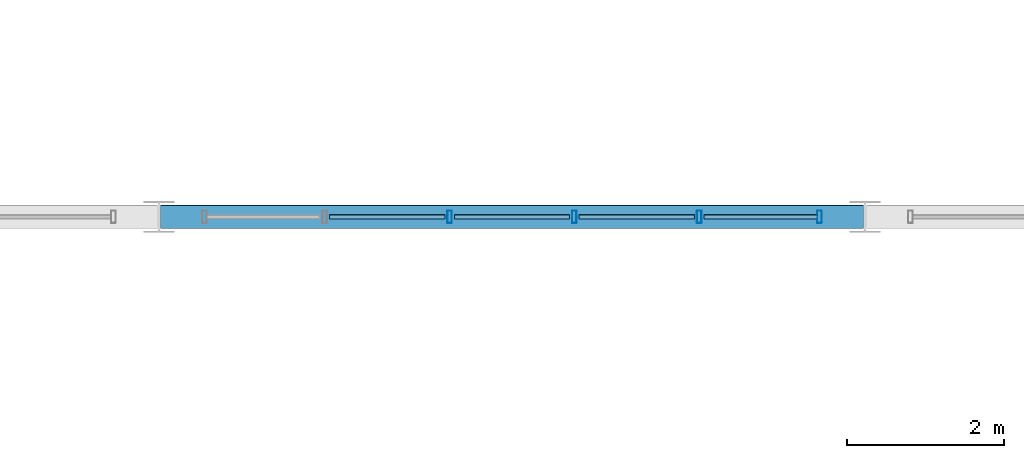
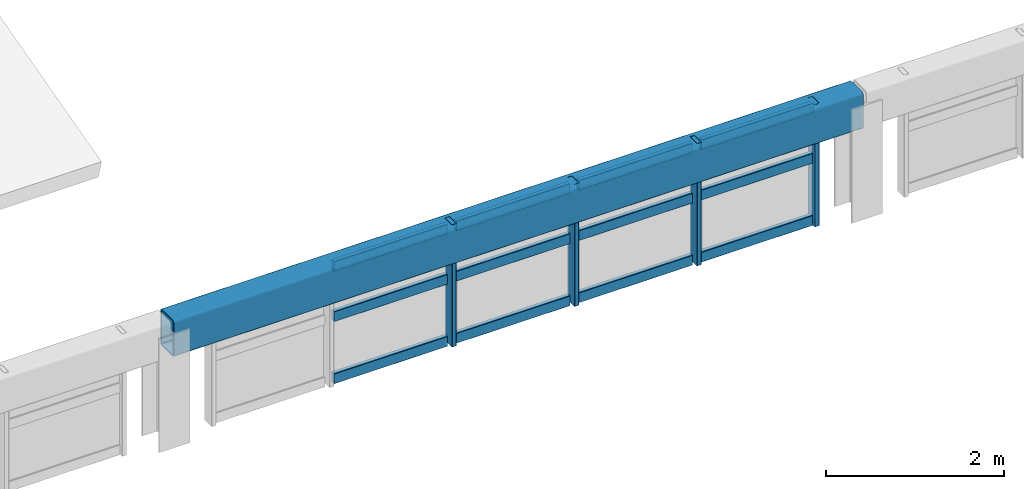
# One storey, part 55 of 128: 16 members, 1 beam, 1 element without a shape of its own.
"""IFC4 building model written with IfcOpenShell, lengths in metres."""

from ifc_helpers import new_model, si_unit, derived_unit, direction, frame, origin, origin_2d, place, context, subcontext, project, spatial, hollow_rectangle, extrude, material, material_profile, profile_set, type_object, element, aggregate, save


model = new_model("IFC4")

# Units and contexts
model_context = context("Model", 3, precision=1e-05, world=origin(), true_north=direction((0.0, 1.0)))
body_context = subcontext(model_context, "Body", "Model", "MODEL_VIEW")
ifc_project = project(units=[si_unit("LENGTHUNIT", "METRE"), si_unit("AREAUNIT", "SQUARE_METRE"), si_unit("VOLUMEUNIT", "CUBIC_METRE"), si_unit("PLANEANGLEUNIT", "RADIAN"), si_unit("MASSUNIT", "GRAM", prefix="KILO"), derived_unit("THERMALTRANSMITTANCEUNIT", [(si_unit("MASSUNIT", "GRAM", prefix="KILO"), 1), (si_unit("TIMEUNIT", "SECOND"), -3), (si_unit("THERMODYNAMICTEMPERATUREUNIT", "KELVIN"), -1)])], contexts=[model_context])

# Site, building, storey
site_placement = place(None, origin())
site = spatial("IfcSite", under=ifc_project, at=site_placement, CompositionType="ELEMENT")
building_placement = place(site_placement, origin())
building = spatial("IfcBuilding", under=site, at=building_placement, Name="Zhenchuan Archway Interchange", CompositionType="ELEMENT")
storey_placement = place(building_placement, frame((0.0, 0.0, 14.39990234375)))
storey = spatial("IfcBuildingStorey", under=building, at=storey_placement, Name="L03", CompositionType="ELEMENT", Elevation=14.39990234375)

# Beam
ifc_material_1 = material(Name="Steel Q390", Category="steel")
ifc_material_profile_1 = material_profile(ifc_material_1, hollow_rectangle(XDim=0.300048828125, YDim=0.5, WallThickness=0.01611328125, InnerFilletRadius=0.01611328125, OuterFilletRadius=0.031982421875, at=origin_2d()), Name="RHS 500x300x16")
ifc_profile_set_1 = profile_set([ifc_material_profile_1], Name="Steel Q390")
beam_type = type_object("IfcBeamType", Name="BM_RING_RHS500", PredefinedType="BEAM", material=ifc_profile_set_1)
beam_placement = place(storey_placement, frame((54.02001953125, 88.0, 1.4501953125), z_axis=(1.0, 0.0, 0.0), x_axis=(0.0, 1.0, 0.0)))
element("IfcBeam", 1, at=beam_placement, inside=storey, type_object=beam_type, Name="CONCOURSE CABLE-NET RING BEAM N-4", PredefinedType="BEAM", context=body_context, shape_type="SweptSolid", body=[
    extrude(hollow_rectangle(XDim=0.300048828125, YDim=0.5, WallThickness=0.01611328125, InnerFilletRadius=0.01611328125, OuterFilletRadius=0.031982421875, at=origin_2d()), origin(), (0.0, 0.0, 1.0), 8.9599609375),
])

# Curtain wall, members
ifc_material_2 = material(Name="Anodised Aluminium", Category="aluminium")
curtain_wall_type = type_object("IfcCurtainWallType", Name="CW_UNIT_4", PredefinedType="NOTDEFINED", material=ifc_material_2)
curtain_wall_placement = place(storey_placement, origin())
curtain_wall = element("IfcCurtainWall", 2, at=curtain_wall_placement, inside=storey, type_object=curtain_wall_type, Name="Unitised curtain wall CW:L03:RING-N4", PredefinedType="NOTDEFINED")
ifc_material_profile_2 = material_profile(ifc_material_2, hollow_rectangle(XDim=0.06005859375, YDim=0.159912109375, WallThickness=0.00390625, InnerFilletRadius=0.00390625, OuterFilletRadius=0.008056640625, at=origin_2d()), Name="ALU 160x60x4")
ifc_profile_set_2 = profile_set([ifc_material_profile_2], Name="Anodised Aluminium")
member_type_1 = type_object("IfcMemberType", Name="CW_MUL_150", PredefinedType="MULLION", material=ifc_profile_set_2)
member_1_placement = place(storey_placement, frame((57.7041015625, 88.0, 0.02001953125), z_axis=(0.0, 0.0, 1.0), x_axis=(1.0, 0.0, 0.0)))
member_1 = element("IfcMember", 3, at=member_1_placement, type_object=member_type_1, Name="CW:L03:RING-N4 mullion 2", PredefinedType="MULLION", context=body_context, shape_type="SweptSolid", body=[
    extrude(hollow_rectangle(XDim=0.06005859375, YDim=0.159912109375, WallThickness=0.00390625, InnerFilletRadius=0.00390625, OuterFilletRadius=0.008056640625, at=origin_2d()), origin(), (0.0, 0.0, 1.0), 1.68017578125),
])
member_2_placement = place(storey_placement, frame((59.2958984375, 88.0, 0.02001953125), z_axis=(0.0, 0.0, 1.0), x_axis=(1.0, 0.0, 0.0)))
member_2 = element("IfcMember", 4, at=member_2_placement, type_object=member_type_1, Name="CW:L03:RING-N4 mullion 3", PredefinedType="MULLION", context=body_context, shape_type="SweptSolid", body=[
    extrude(hollow_rectangle(XDim=0.06005859375, YDim=0.159912109375, WallThickness=0.00390625, InnerFilletRadius=0.00390625, OuterFilletRadius=0.008056640625, at=origin_2d()), origin(), (0.0, 0.0, 1.0), 1.68017578125),
])
member_3_placement = place(storey_placement, frame((60.887939453125, 88.0, 0.02001953125), z_axis=(0.0, 0.0, 1.0), x_axis=(1.0, 0.0, 0.0)))
member_3 = element("IfcMember", 5, at=member_3_placement, type_object=member_type_1, Name="CW:L03:RING-N4 mullion 4", PredefinedType="MULLION", context=body_context, shape_type="SweptSolid", body=[
    extrude(hollow_rectangle(XDim=0.06005859375, YDim=0.159912109375, WallThickness=0.00390625, InnerFilletRadius=0.00390625, OuterFilletRadius=0.008056640625, at=origin_2d()), origin(), (0.0, 0.0, 1.0), 1.68017578125),
])
member_4_placement = place(storey_placement, frame((62.419921875, 88.0, 0.02001953125), z_axis=(0.0, 0.0, 1.0), x_axis=(1.0, 0.0, 0.0)))
member_4 = element("IfcMember", 6, at=member_4_placement, type_object=member_type_1, Name="CW:L03:RING-N4 mullion 5", PredefinedType="MULLION", context=body_context, shape_type="SweptSolid", body=[
    extrude(hollow_rectangle(XDim=0.06005859375, YDim=0.159912109375, WallThickness=0.00390625, InnerFilletRadius=0.00390625, OuterFilletRadius=0.008056640625, at=origin_2d()), origin(), (0.0, 0.0, 1.0), 1.68017578125),
])
ifc_material_profile_3 = material_profile(ifc_material_2, hollow_rectangle(XDim=0.06005859375, YDim=0.139892578125, WallThickness=0.00341796875, InnerFilletRadius=0.00341796875, OuterFilletRadius=0.007080078125, at=origin_2d()), Name="ALU 140x60x3.5")
ifc_profile_set_3 = profile_set([ifc_material_profile_3], Name="Anodised Aluminium")
member_type_2 = type_object("IfcMemberType", Name="CW_TRN_140", PredefinedType="USERDEFINED", material=ifc_profile_set_3)
member_5_placement = place(storey_placement, frame((56.172119140625, 88.0, 0.080078125), z_axis=(1.0, 0.0, 0.0), x_axis=(0.0, 1.0, 0.0)))
member_5 = element("IfcMember", 7, at=member_5_placement, type_object=member_type_2, Name="CW:L03:RING-N4 transom 1-1", ObjectType="TRANSOM", PredefinedType="USERDEFINED", context=body_context, shape_type="SweptSolid", body=[
    extrude(hollow_rectangle(XDim=0.06005859375, YDim=0.139892578125, WallThickness=0.00341796875, InnerFilletRadius=0.00341796875, OuterFilletRadius=0.007080078125, at=origin_2d()), origin(), (0.0, 0.0, 1.0), 1.471923828125),
])
member_6_placement = place(storey_placement, frame((56.172119140625, 88.0, 0.93310546875), z_axis=(1.0, 0.0, 0.0), x_axis=(0.0, 1.0, 0.0)))
member_6 = element("IfcMember", 8, at=member_6_placement, type_object=member_type_2, Name="CW:L03:RING-N4 transom 1-2", ObjectType="TRANSOM", PredefinedType="USERDEFINED", context=body_context, shape_type="SweptSolid", body=[
    extrude(hollow_rectangle(XDim=0.06005859375, YDim=0.139892578125, WallThickness=0.00341796875, InnerFilletRadius=0.00341796875, OuterFilletRadius=0.007080078125, at=origin_2d()), origin(), (0.0, 0.0, 1.0), 1.471923828125),
])
member_7_placement = place(storey_placement, frame((56.172119140625, 88.0, 1.6201171875), z_axis=(1.0, 0.0, 0.0), x_axis=(0.0, 1.0, 0.0)))
member_7 = element("IfcMember", 9, at=member_7_placement, type_object=member_type_2, Name="CW:L03:RING-N4 transom 1-3", ObjectType="TRANSOM", PredefinedType="USERDEFINED", context=body_context, shape_type="SweptSolid", body=[
    extrude(hollow_rectangle(XDim=0.06005859375, YDim=0.139892578125, WallThickness=0.00341796875, InnerFilletRadius=0.00341796875, OuterFilletRadius=0.007080078125, at=origin_2d()), origin(), (0.0, 0.0, 1.0), 1.471923828125),
])
member_8_placement = place(storey_placement, frame((57.763916015625, 88.0, 0.080078125), z_axis=(1.0, 0.0, 0.0), x_axis=(0.0, 1.0, 0.0)))
member_8 = element("IfcMember", 10, at=member_8_placement, type_object=member_type_2, Name="CW:L03:RING-N4 transom 2-1", ObjectType="TRANSOM", PredefinedType="USERDEFINED", context=body_context, shape_type="SweptSolid", body=[
    extrude(hollow_rectangle(XDim=0.06005859375, YDim=0.139892578125, WallThickness=0.00341796875, InnerFilletRadius=0.00341796875, OuterFilletRadius=0.007080078125, at=origin_2d()), origin(), (0.0, 0.0, 1.0), 1.47216796875),
])
member_9_placement = place(storey_placement, frame((57.763916015625, 88.0, 0.93310546875), z_axis=(1.0, 0.0, 0.0), x_axis=(0.0, 1.0, 0.0)))
member_9 = element("IfcMember", 11, at=member_9_placement, type_object=member_type_2, Name="CW:L03:RING-N4 transom 2-2", ObjectType="TRANSOM", PredefinedType="USERDEFINED", context=body_context, shape_type="SweptSolid", body=[
    extrude(hollow_rectangle(XDim=0.06005859375, YDim=0.139892578125, WallThickness=0.00341796875, InnerFilletRadius=0.00341796875, OuterFilletRadius=0.007080078125, at=origin_2d()), origin(), (0.0, 0.0, 1.0), 1.47216796875),
])
member_10_placement = place(storey_placement, frame((57.763916015625, 88.0, 1.6201171875), z_axis=(1.0, 0.0, 0.0), x_axis=(0.0, 1.0, 0.0)))
member_10 = element("IfcMember", 12, at=member_10_placement, type_object=member_type_2, Name="CW:L03:RING-N4 transom 2-3", ObjectType="TRANSOM", PredefinedType="USERDEFINED", context=body_context, shape_type="SweptSolid", body=[
    extrude(hollow_rectangle(XDim=0.06005859375, YDim=0.139892578125, WallThickness=0.00341796875, InnerFilletRadius=0.00341796875, OuterFilletRadius=0.007080078125, at=origin_2d()), origin(), (0.0, 0.0, 1.0), 1.47216796875),
])
member_11_placement = place(storey_placement, frame((59.35595703125, 88.0, 0.080078125), z_axis=(1.0, 0.0, 0.0), x_axis=(0.0, 1.0, 0.0)))
member_11 = element("IfcMember", 13, at=member_11_placement, type_object=member_type_2, Name="CW:L03:RING-N4 transom 3-1", ObjectType="TRANSOM", PredefinedType="USERDEFINED", context=body_context, shape_type="SweptSolid", body=[
    extrude(hollow_rectangle(XDim=0.06005859375, YDim=0.139892578125, WallThickness=0.00341796875, InnerFilletRadius=0.00341796875, OuterFilletRadius=0.007080078125, at=origin_2d()), origin(), (0.0, 0.0, 1.0), 1.471923828125),
])
member_12_placement = place(storey_placement, frame((59.35595703125, 88.0, 0.93310546875), z_axis=(1.0, 0.0, 0.0), x_axis=(0.0, 1.0, 0.0)))
member_12 = element("IfcMember", 14, at=member_12_placement, type_object=member_type_2, Name="CW:L03:RING-N4 transom 3-2", ObjectType="TRANSOM", PredefinedType="USERDEFINED", context=body_context, shape_type="SweptSolid", body=[
    extrude(hollow_rectangle(XDim=0.06005859375, YDim=0.139892578125, WallThickness=0.00341796875, InnerFilletRadius=0.00341796875, OuterFilletRadius=0.007080078125, at=origin_2d()), origin(), (0.0, 0.0, 1.0), 1.471923828125),
])
member_13_placement = place(storey_placement, frame((59.35595703125, 88.0, 1.6201171875), z_axis=(1.0, 0.0, 0.0), x_axis=(0.0, 1.0, 0.0)))
member_13 = element("IfcMember", 15, at=member_13_placement, type_object=member_type_2, Name="CW:L03:RING-N4 transom 3-3", ObjectType="TRANSOM", PredefinedType="USERDEFINED", context=body_context, shape_type="SweptSolid", body=[
    extrude(hollow_rectangle(XDim=0.06005859375, YDim=0.139892578125, WallThickness=0.00341796875, InnerFilletRadius=0.00341796875, OuterFilletRadius=0.007080078125, at=origin_2d()), origin(), (0.0, 0.0, 1.0), 1.471923828125),
])
member_14_placement = place(storey_placement, frame((60.947998046875, 88.0, 0.080078125), z_axis=(1.0, 0.0, 0.0), x_axis=(0.0, 1.0, 0.0)))
member_14 = element("IfcMember", 16, at=member_14_placement, type_object=member_type_2, Name="CW:L03:RING-N4 transom 4-1", ObjectType="TRANSOM", PredefinedType="USERDEFINED", context=body_context, shape_type="SweptSolid", body=[
    extrude(hollow_rectangle(XDim=0.06005859375, YDim=0.139892578125, WallThickness=0.00341796875, InnerFilletRadius=0.00341796875, OuterFilletRadius=0.007080078125, at=origin_2d()), origin(), (0.0, 0.0, 1.0), 1.451904296875),
])
member_15_placement = place(storey_placement, frame((60.947998046875, 88.0, 0.93310546875), z_axis=(1.0, 0.0, 0.0), x_axis=(0.0, 1.0, 0.0)))
member_15 = element("IfcMember", 17, at=member_15_placement, type_object=member_type_2, Name="CW:L03:RING-N4 transom 4-2", ObjectType="TRANSOM", PredefinedType="USERDEFINED", context=body_context, shape_type="SweptSolid", body=[
    extrude(hollow_rectangle(XDim=0.06005859375, YDim=0.139892578125, WallThickness=0.00341796875, InnerFilletRadius=0.00341796875, OuterFilletRadius=0.007080078125, at=origin_2d()), origin(), (0.0, 0.0, 1.0), 1.451904296875),
])
member_16_placement = place(storey_placement, frame((60.947998046875, 88.0, 1.6201171875), z_axis=(1.0, 0.0, 0.0), x_axis=(0.0, 1.0, 0.0)))
member_16 = element("IfcMember", 18, at=member_16_placement, type_object=member_type_2, Name="CW:L03:RING-N4 transom 4-3", ObjectType="TRANSOM", PredefinedType="USERDEFINED", context=body_context, shape_type="SweptSolid", body=[
    extrude(hollow_rectangle(XDim=0.06005859375, YDim=0.139892578125, WallThickness=0.00341796875, InnerFilletRadius=0.00341796875, OuterFilletRadius=0.007080078125, at=origin_2d()), origin(), (0.0, 0.0, 1.0), 1.451904296875),
])
aggregate(curtain_wall, [member_1, member_2, member_3, member_4, member_5, member_6, member_7, member_8, member_9, member_10, member_11, member_12, member_13, member_14, member_15, member_16])

save(model, "model.ifc")
